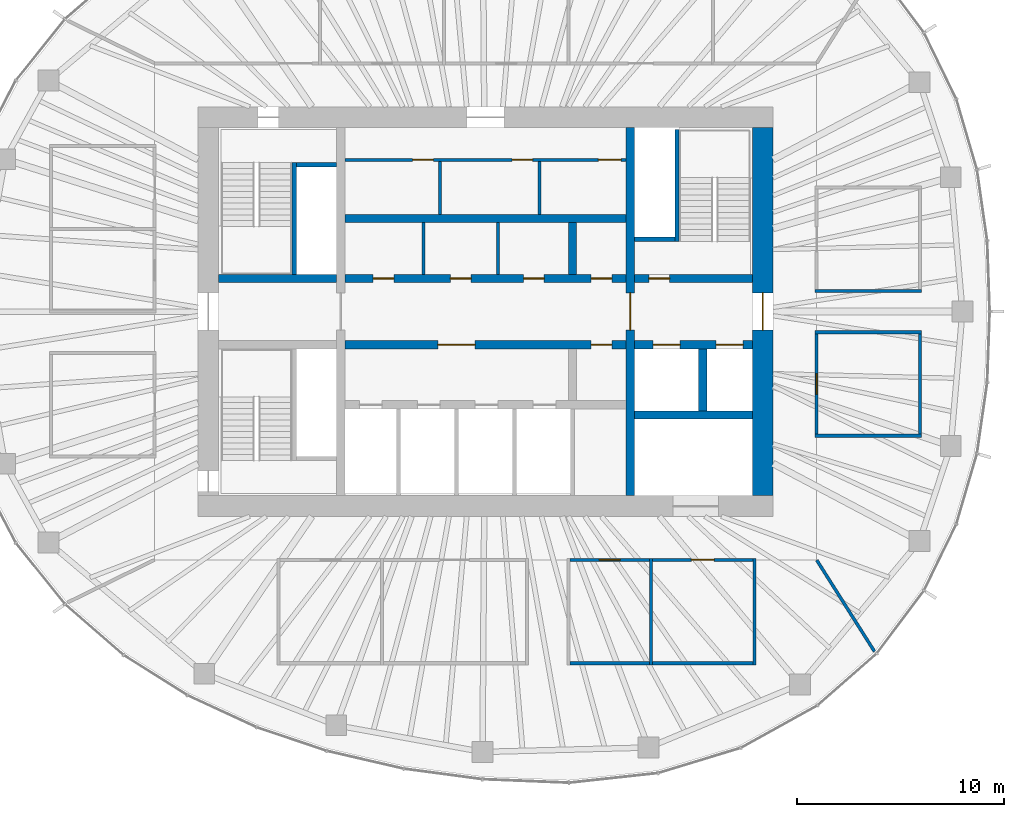
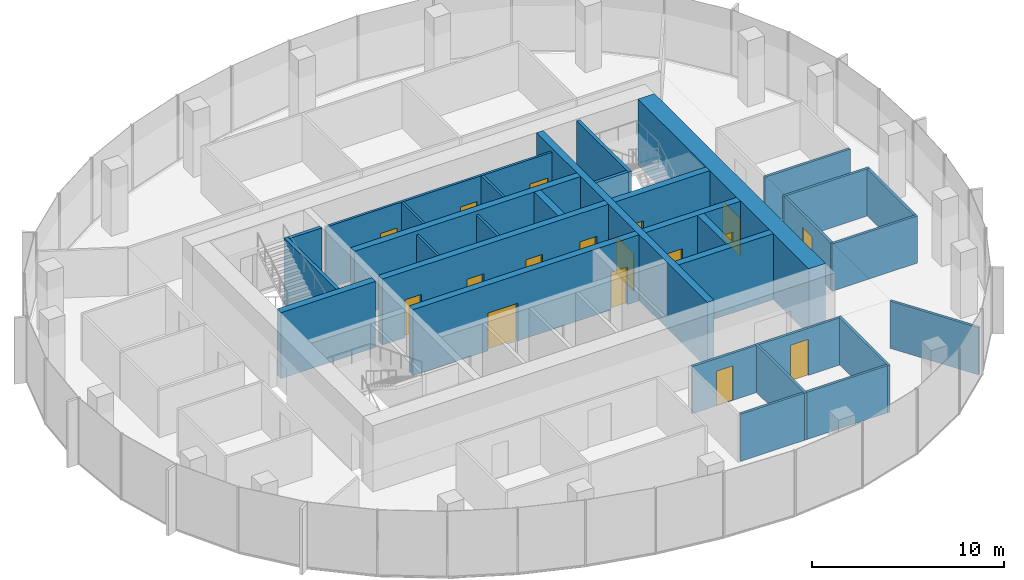
# One storey, part 9 of 11: 32 walls, 17 doors, 17 openings.
"""IFC4 building model written with IfcOpenShell, lengths in metres."""

from ifc_helpers import new_model, si_unit, direction, frame, frame_2d, origin, place, context, subcontext, project, spatial, rectangle, extrude, material, layer, layer_set, type_object, element, fill, save


model = new_model("IFC4")

# Units and contexts
model_context = context("Model", 3, precision=1e-05, world=origin(), true_north=direction((0.0, 1.0)))
body_context = subcontext(model_context, "Body", "Model", "MODEL_VIEW")
ifc_project = project(units=[si_unit("LENGTHUNIT", "METRE"), si_unit("AREAUNIT", "SQUARE_METRE"), si_unit("VOLUMEUNIT", "CUBIC_METRE"), si_unit("PLANEANGLEUNIT", "RADIAN"), si_unit("MASSUNIT", "GRAM", prefix="KILO")], contexts=[model_context])

# Site, building, storey
site_placement = place(None, origin())
site = spatial("IfcSite", under=ifc_project, at=site_placement, CompositionType="ELEMENT")
building_placement = place(site_placement, origin())
building = spatial("IfcBuilding", under=site, at=building_placement, Name="Ghaith Harvest Tower", CompositionType="ELEMENT")
storey_placement = place(building_placement, frame((0.0, 0.0, 317.39990234375)))
storey = spatial("IfcBuildingStorey", under=building, at=storey_placement, Name="L71", CompositionType="ELEMENT", Elevation=317.39990234375)

# Wall, openings, doors
ifc_material_1 = material(Name="Concrete blockwork, fair-faced", Category="masonry")
ifc_layer_1 = layer(ifc_material_1, 0.139892578125)
ifc_layer_set_1 = layer_set([ifc_layer_1], Name="CORE PARTITION 140")
wall_type_1 = type_object("IfcWallType", Name="CORE PARTITION 140", PredefinedType="PARTITIONING", material=ifc_layer_set_1)
wall_1_placement = place(storey_placement, frame((-6.800048828125, 7.330078125, 0.0), z_axis=(0.0, 0.0, 1.0), x_axis=(1.0, 0.0, 0.0)))
wall_1 = element("IfcWall", 1, at=wall_1_placement, inside=storey, type_object=wall_type_1, Name="Core partition L71", PredefinedType="PARTITIONING", context=body_context, shape_type="SweptSolid", body=[
    extrude(rectangle(XDim=13.60009765625, YDim=0.139892578125, at=frame_2d((6.800048828125, 0.0))), origin(), (0.0, 0.0, 1.0), 3.9501953125),
])
opening_1_placement = place(wall_1_placement, frame((3.280029296875, 0.0, 0.0)))
opening_1 = element("IfcOpeningElement", 2, at=opening_1_placement, cuts=wall_1, Name="Opening 71-008", PredefinedType="OPENING", context=body_context, shape_type="SweptSolid", body=[
    extrude(rectangle(XDim=1.0, YDim=2.39990234375, at=frame_2d((0.5, 1.199951171875))), frame((0.0, 0.080078125, 0.0), z_axis=(0.0, -1.0, 0.0), x_axis=(1.0, 0.0, 0.0)), (0.0, 0.0, 1.0), 0.159912109375),
])
opening_2_placement = place(wall_1_placement, frame((8.080078125, 0.0, 0.0)))
opening_2 = element("IfcOpeningElement", 3, at=opening_2_placement, cuts=wall_1, Name="Opening 71-009", PredefinedType="OPENING", context=body_context, shape_type="SweptSolid", body=[
    extrude(rectangle(XDim=1.0, YDim=2.39990234375, at=frame_2d((0.5, 1.199951171875))), frame((0.0, 0.080078125, 0.0), z_axis=(0.0, -1.0, 0.0), x_axis=(1.0, 0.0, 0.0)), (0.0, 0.0, 1.0), 0.159912109375),
])
opening_3_placement = place(wall_1_placement, frame((12.25, 0.0, 0.0)))
opening_3 = element("IfcOpeningElement", 4, at=opening_3_placement, cuts=wall_1, Name="Opening 71-010", PredefinedType="OPENING", context=body_context, shape_type="SweptSolid", body=[
    extrude(rectangle(XDim=1.10009765625, YDim=2.39990234375, at=frame_2d((0.550048828125, 1.199951171875))), frame((0.0, 0.080078125, 0.0), z_axis=(0.0, -1.0, 0.0), x_axis=(1.0, 0.0, 0.0)), (0.0, 0.0, 1.0), 0.159912109375),
])
ifc_material_2 = material(Name="Steel fire door", Category="steel")
door_type_1 = type_object("IfcDoorType", Name="D3 FD90 1000x2400", OperationType="SINGLE_SWING_LEFT", PredefinedType="DOOR", material=ifc_material_2)
door_1_placement = place(opening_1_placement, origin())
door_1 = element("IfcDoor", 5, at=door_1_placement, inside=storey, type_object=door_type_1, Name="Female WC door", OperationType="SINGLE_SWING_LEFT", OverallHeight=2.39990234375, OverallWidth=1.0, PredefinedType="DOOR", context=body_context, shape_type="SweptSolid", body=[
    extrude(rectangle(XDim=1.0, YDim=2.39990234375, at=frame_2d((0.5, 1.199951171875))), frame((0.0, 0.02490234375, 0.0), z_axis=(0.0, -1.0, 0.0), x_axis=(1.0, 0.0, 0.0)), (0.0, 0.0, 1.0), 0.050048828125),
])
fill(opening_1, door_1)
door_2_placement = place(opening_2_placement, origin())
door_2 = element("IfcDoor", 6, at=door_2_placement, inside=storey, type_object=door_type_1, Name="Male WC door", OperationType="SINGLE_SWING_RIGHT", OverallHeight=2.39990234375, OverallWidth=1.0, PredefinedType="DOOR", context=body_context, shape_type="SweptSolid", body=[
    extrude(rectangle(XDim=1.0, YDim=2.39990234375, at=frame_2d((0.5, 1.199951171875))), frame((0.0, 0.02490234375, 0.0), z_axis=(0.0, -1.0, 0.0), x_axis=(1.0, 0.0, 0.0)), (0.0, 0.0, 1.0), 0.050048828125),
])
fill(opening_2, door_2)
ifc_material_3 = material(Name="Steel fire door", Category="steel")
door_type_2 = type_object("IfcDoorType", Name="D9 FD90 1100x2400", OperationType="SINGLE_SWING_LEFT", PredefinedType="DOOR", material=ifc_material_3)
door_3_placement = place(opening_3_placement, origin())
door_3 = element("IfcDoor", 7, at=door_3_placement, inside=storey, type_object=door_type_2, Name="Accessible WC door", OperationType="SINGLE_SWING_RIGHT", OverallHeight=2.39990234375, OverallWidth=1.10009765625, PredefinedType="DOOR", context=body_context, shape_type="SweptSolid", body=[
    extrude(rectangle(XDim=1.10009765625, YDim=2.39990234375, at=frame_2d((0.550048828125, 1.199951171875))), frame((0.0, 0.02490234375, 0.0), z_axis=(0.0, -1.0, 0.0), x_axis=(1.0, 0.0, 0.0)), (0.0, 0.0, 1.0), 0.050048828125),
])
fill(opening_3, door_3)

# Walls
for number, where, z_axis, x_axis, name in (
    (8, (-2.199951171875, 4.699951171875, 0.0), (0.0, 0.0, 1.0), (0.0, 1.0, 0.0), "Core partition L71"),
    (9, (2.60009765625, 4.699951171875, 0.0), (0.0, 0.0, 1.0), (0.0, 1.0, 0.0), "Core partition L71"),
):
    element("IfcWall", number, at=place(storey_placement, frame(where, z_axis=z_axis, x_axis=x_axis)), inside=storey, type_object=wall_type_1, Name=name, PredefinedType="PARTITIONING", context=body_context, shape_type="SweptSolid", body=[
        extrude(rectangle(XDim=2.56005859375, YDim=0.139892578125, at=frame_2d((1.280029296875, 0.0))), origin(), (0.0, 0.0, 1.0), 3.9501953125),
    ])
for number, where, z_axis, x_axis, name in (
    (10, (-3.0, 1.800048828125, 0.0), (0.0, 0.0, 1.0), (0.0, 1.0, 0.0), "Core partition L71"),
    (11, (0.60009765625, 1.800048828125, 0.0), (0.0, 0.0, 1.0), (0.0, 1.0, 0.0), "Core partition L71"),
):
    element("IfcWall", number, at=place(storey_placement, frame(where, z_axis=z_axis, x_axis=x_axis)), inside=storey, type_object=wall_type_1, Name=name, PredefinedType="PARTITIONING", context=body_context, shape_type="SweptSolid", body=[
        extrude(rectangle(XDim=2.5, YDim=0.139892578125, at=frame_2d((1.25, 0.0))), origin(), (0.0, 0.0, 1.0), 3.9501953125),
    ])

# Wall, opening, door
ifc_material_4 = material(Name="Concrete C50/60", Category="concrete")
ifc_layer_2 = layer(ifc_material_4, 1.0)
ifc_layer_set_2 = layer_set([ifc_layer_2], Name="CORE WALL CW1000")
wall_type_2 = type_object("IfcWallType", Name="CORE WALL CW1000", PredefinedType="SHEAR", material=ifc_layer_set_2)
wall_2_placement = place(storey_placement, frame((13.39990234375, -8.89990234375, 0.0), z_axis=(0.0, 0.0, 1.0), x_axis=(0.0, 1.0, 0.0)))
wall_2 = element("IfcWall", 12, at=wall_2_placement, inside=storey, type_object=wall_type_2, Name="Core wall E L71", PredefinedType="SHEAR", context=body_context, shape_type="SweptSolid", body=[
    extrude(rectangle(XDim=17.7998046875, YDim=1.0, at=frame_2d((8.89990234375, 0.0))), origin(), (0.0, 0.0, 1.0), 4.2001953125),
])
opening_4_placement = place(wall_2_placement, frame((8.0, 0.0, 0.0)))
opening_4 = element("IfcOpeningElement", 13, at=opening_4_placement, cuts=wall_2, Name="Opening 71-002", PredefinedType="OPENING", context=body_context, shape_type="SweptSolid", body=[
    extrude(rectangle(XDim=1.800048828125, YDim=2.39990234375, at=frame_2d((0.89990234375, 1.199951171875))), frame((0.0, 0.510009765625, 0.0), z_axis=(0.0, -1.0, 0.0), x_axis=(1.0, 0.0, 0.0)), (0.0, 0.0, 1.0), 1.02001953125),
])
ifc_material_5 = material(Name="Steel fire door", Category="steel")
door_type_3 = type_object("IfcDoorType", Name="D4 FD90 PAIR 1800x2400", OperationType="DOUBLE_DOOR_SINGLE_SWING", PredefinedType="DOOR", material=ifc_material_5)
door_4_placement = place(opening_4_placement, origin())
door_4 = element("IfcDoor", 14, at=door_4_placement, inside=storey, type_object=door_type_3, Name="Fire-fighting lobby doors", OperationType="DOUBLE_DOOR_SINGLE_SWING", OverallHeight=2.39990234375, OverallWidth=1.800048828125, PredefinedType="DOOR", context=body_context, shape_type="SweptSolid", body=[
    extrude(rectangle(XDim=1.800048828125, YDim=2.39990234375, at=frame_2d((0.89990234375, 1.199951171875))), frame((0.0, 0.02490234375, 0.0), z_axis=(0.0, -1.0, 0.0), x_axis=(1.0, 0.0, 0.0)), (0.0, 0.0, 1.0), 0.050048828125),
])
fill(opening_4, door_4)

# Walls
ifc_material_6 = material(Name="Gypsum board on steel studs", Category="steel")
ifc_layer_3 = layer(ifc_material_6, 0.14990234375)
ifc_layer_set_3 = layer_set([ifc_layer_3], Name="PARTITION 150")
wall_type_3 = type_object("IfcWallType", Name="PARTITION 150", PredefinedType="PARTITIONING", material=ifc_layer_set_3)
for number, where, z_axis, x_axis, name in (
    (15, (8.0, -11.925048828125, 0.0), (0.0, 0.0, 1.0), (0.0, -1.0, 0.0), "Partition L71 row S3 cross wall 2"),
    (16, (13.0, -11.925048828125, 0.0), (0.0, 0.0, 1.0), (0.0, -1.0, 0.0), "Partition L71 row S3 cross wall 3"),
):
    element("IfcWall", number, at=place(storey_placement, frame(where, z_axis=z_axis, x_axis=x_axis)), inside=storey, type_object=wall_type_3, Name=name, PredefinedType="PARTITIONING", context=body_context, shape_type="SweptSolid", body=[
        extrude(rectangle(XDim=5.14990234375, YDim=0.14990234375, at=frame_2d((2.574951171875, 0.0))), origin(), (0.0, 0.0, 1.0), 3.0),
    ])

# Wall, opening, door
wall_3_placement = place(storey_placement, frame((4.074951171875, -12.0, 0.0), z_axis=(0.0, 0.0, 1.0), x_axis=(1.0, 0.0, 0.0)))
wall_3 = element("IfcWall", 17, at=wall_3_placement, inside=storey, type_object=wall_type_3, Name="Partition L71-06", PredefinedType="PARTITIONING", context=body_context, shape_type="SweptSolid", body=[
    extrude(rectangle(XDim=3.85009765625, YDim=0.14990234375, at=frame_2d((1.925048828125, 0.0))), origin(), (0.0, 0.0, 1.0), 3.0),
])
opening_5_placement = place(wall_3_placement, frame((1.425048828125, 0.0, 0.0)))
opening_5 = element("IfcOpeningElement", 18, at=opening_5_placement, cuts=wall_3, Name="Opening 71-030", PredefinedType="OPENING", context=body_context, shape_type="SweptSolid", body=[
    extrude(rectangle(XDim=1.0, YDim=2.199951171875, at=frame_2d((0.5, 1.10009765625))), frame((0.0, 0.0849609375, 0.0), z_axis=(0.0, -1.0, 0.0), x_axis=(1.0, 0.0, 0.0)), (0.0, 0.0, 1.0), 0.169921875),
])
ifc_material_7 = material(Name="Timber door", Category="wood")
door_type_4 = type_object("IfcDoorType", Name="D1 SINGLE 1000x2200", OperationType="SINGLE_SWING_LEFT", PredefinedType="DOOR", material=ifc_material_7)
door_5_placement = place(opening_5_placement, origin())
door_5 = element("IfcDoor", 19, at=door_5_placement, inside=storey, type_object=door_type_4, Name="Store door", OperationType="SINGLE_SWING_LEFT", OverallHeight=2.199951171875, OverallWidth=1.0, PredefinedType="DOOR", context=body_context, shape_type="SweptSolid", body=[
    extrude(rectangle(XDim=1.0, YDim=2.199951171875, at=frame_2d((0.5, 1.10009765625))), frame((0.0, 0.02490234375, 0.0), z_axis=(0.0, -1.0, 0.0), x_axis=(1.0, 0.0, 0.0)), (0.0, 0.0, 1.0), 0.050048828125),
])
fill(opening_5, door_5)

# Wall
wall_4_placement = place(storey_placement, frame((4.074951171875, -17.0, 0.0), z_axis=(0.0, 0.0, 1.0), x_axis=(1.0, 0.0, 0.0)))
element("IfcWall", 20, at=wall_4_placement, inside=storey, type_object=wall_type_3, Name="Partition L71-06", PredefinedType="PARTITIONING", context=body_context, shape_type="SweptSolid", body=[
    extrude(rectangle(XDim=3.85009765625, YDim=0.14990234375, at=frame_2d((1.925048828125, 0.0))), origin(), (0.0, 0.0, 1.0), 3.0),
])

# Wall, opening, door
wall_5_placement = place(storey_placement, frame((8.074951171875, -12.0, 0.0), z_axis=(0.0, 0.0, 1.0), x_axis=(1.0, 0.0, 0.0)))
wall_5 = element("IfcWall", 21, at=wall_5_placement, inside=storey, type_object=wall_type_3, Name="Partition L71-07", PredefinedType="PARTITIONING", context=body_context, shape_type="SweptSolid", body=[
    extrude(rectangle(XDim=4.85009765625, YDim=0.14990234375, at=frame_2d((2.425048828125, 0.0))), origin(), (0.0, 0.0, 1.0), 3.0),
])
opening_6_placement = place(wall_5_placement, frame((1.875, 0.0, 0.0)))
opening_6 = element("IfcOpeningElement", 22, at=opening_6_placement, cuts=wall_5, Name="Opening 71-031", PredefinedType="OPENING", context=body_context, shape_type="SweptSolid", body=[
    extrude(rectangle(XDim=1.10009765625, YDim=2.300048828125, at=frame_2d((0.550048828125, 1.14990234375))), frame((0.0, 0.0849609375, 0.0), z_axis=(0.0, -1.0, 0.0), x_axis=(1.0, 0.0, 0.0)), (0.0, 0.0, 1.0), 0.169921875),
])
ifc_material_8 = material(Name="Timber-framed glazed door", Category="wood")
door_type_5 = type_object("IfcDoorType", Name="D12 GLAZED OFFICE 1100x2300", OperationType="SINGLE_SWING_LEFT", PredefinedType="DOOR", material=ifc_material_8)
door_6_placement = place(opening_6_placement, origin())
door_6 = element("IfcDoor", 23, at=door_6_placement, inside=storey, type_object=door_type_5, Name="Crop office door", OperationType="SINGLE_SWING_LEFT", OverallHeight=2.300048828125, OverallWidth=1.10009765625, PredefinedType="DOOR", context=body_context, shape_type="SweptSolid", body=[
    extrude(rectangle(XDim=1.10009765625, YDim=2.300048828125, at=frame_2d((0.550048828125, 1.14990234375))), frame((0.0, 0.02490234375, 0.0), z_axis=(0.0, -1.0, 0.0), x_axis=(1.0, 0.0, 0.0)), (0.0, 0.0, 1.0), 0.050048828125),
])
fill(opening_6, door_6)

# Walls
wall_6_placement = place(storey_placement, frame((8.074951171875, -17.0, 0.0), z_axis=(0.0, 0.0, 1.0), x_axis=(1.0, 0.0, 0.0)))
element("IfcWall", 24, at=wall_6_placement, inside=storey, type_object=wall_type_3, Name="Partition L71-07", PredefinedType="PARTITIONING", context=body_context, shape_type="SweptSolid", body=[
    extrude(rectangle(XDim=4.85009765625, YDim=0.14990234375, at=frame_2d((2.425048828125, 0.0))), origin(), (0.0, 0.0, 1.0), 3.0),
])
for number, where, z_axis, x_axis, name in (
    (25, (15.925048828125, -6.0, 0.0), (0.0, 0.0, 1.0), (1.0, 0.0, 0.0), "Partition L71 row E5 cross wall 1"),
    (26, (15.925048828125, -1.0, 0.0), (0.0, 0.0, 1.0), (1.0, 0.0, 0.0), "Partition L71 row E5 cross wall 2"),
):
    element("IfcWall", number, at=place(storey_placement, frame(where, z_axis=z_axis, x_axis=x_axis)), inside=storey, type_object=wall_type_3, Name=name, PredefinedType="PARTITIONING", context=body_context, shape_type="SweptSolid", body=[
        extrude(rectangle(XDim=5.14990234375, YDim=0.14990234375, at=frame_2d((2.574951171875, 0.0))), origin(), (0.0, 0.0, 1.0), 3.0),
    ])

# Wall, opening, door
wall_7_placement = place(storey_placement, frame((16.0, -5.925048828125, 0.0), z_axis=(0.0, 0.0, 1.0), x_axis=(0.0, 1.0, 0.0)))
wall_7 = element("IfcWall", 27, at=wall_7_placement, inside=storey, type_object=wall_type_3, Name="Partition L71-09", PredefinedType="PARTITIONING", context=body_context, shape_type="SweptSolid", body=[
    extrude(rectangle(XDim=4.85009765625, YDim=0.14990234375, at=frame_2d((2.425048828125, 0.0))), origin(), (0.0, 0.0, 1.0), 3.0),
])
opening_7_placement = place(wall_7_placement, frame((1.925048828125, 0.0, 0.0)))
opening_7 = element("IfcOpeningElement", 28, at=opening_7_placement, cuts=wall_7, Name="Opening 71-033", PredefinedType="OPENING", context=body_context, shape_type="SweptSolid", body=[
    extrude(rectangle(XDim=1.0, YDim=2.199951171875, at=frame_2d((0.5, 1.10009765625))), frame((0.0, 0.0849609375, 0.0), z_axis=(0.0, -1.0, 0.0), x_axis=(1.0, 0.0, 0.0)), (0.0, 0.0, 1.0), 0.169921875),
])
door_7_placement = place(opening_7_placement, origin())
door_7 = element("IfcDoor", 29, at=door_7_placement, inside=storey, type_object=door_type_4, Name="Staff room door", OperationType="SINGLE_SWING_LEFT", OverallHeight=2.199951171875, OverallWidth=1.0, PredefinedType="DOOR", context=body_context, shape_type="SweptSolid", body=[
    extrude(rectangle(XDim=1.0, YDim=2.199951171875, at=frame_2d((0.5, 1.10009765625))), frame((0.0, 0.02490234375, 0.0), z_axis=(0.0, -1.0, 0.0), x_axis=(1.0, 0.0, 0.0)), (0.0, 0.0, 1.0), 0.050048828125),
])
fill(opening_7, door_7)

# Walls
wall_8_placement = place(storey_placement, frame((21.0, -5.925048828125, 0.0), z_axis=(0.0, 0.0, 1.0), x_axis=(0.0, 1.0, 0.0)))
element("IfcWall", 30, at=wall_8_placement, inside=storey, type_object=wall_type_3, Name="Partition L71-09", PredefinedType="PARTITIONING", context=body_context, shape_type="SweptSolid", body=[
    extrude(rectangle(XDim=4.85009765625, YDim=0.14990234375, at=frame_2d((2.425048828125, 0.0))), origin(), (0.0, 0.0, 1.0), 3.0),
])
wall_9_placement = place(storey_placement, frame((15.925048828125, 1.0, 0.0), z_axis=(0.0, 0.0, 1.0), x_axis=(1.0, 0.0, 0.0)))
element("IfcWall", 31, at=wall_9_placement, inside=storey, type_object=wall_type_3, Name="Partition L71 row E6 cross wall 1", PredefinedType="PARTITIONING", context=body_context, shape_type="SweptSolid", body=[
    extrude(rectangle(XDim=5.14990234375, YDim=0.14990234375, at=frame_2d((2.574951171875, 0.0))), origin(), (0.0, 0.0, 1.0), 3.0),
])
wall_10_placement = place(storey_placement, frame((16.0107421875, -12.016845703125, 0.0), z_axis=(0.0, 0.0, 1.0), x_axis=(0.53415837449, -0.845384427916, 0.0)))
element("IfcWall", 32, at=wall_10_placement, inside=storey, type_object=wall_type_3, Name="Partition L71 zone division", PredefinedType="PARTITIONING", context=body_context, shape_type="SweptSolid", body=[
    extrude(rectangle(XDim=5.220458984375, YDim=0.14990234375, at=frame_2d((2.6103515625, 0.0))), origin(), (0.0, 0.0, 1.0), 3.0),
])

# Wall, opening, door
ifc_material_9 = material(Name="Concrete C70/85", Category="concrete")
ifc_layer_4 = layer(ifc_material_9, 0.39990234375)
ifc_layer_set_4 = layer_set([ifc_layer_4], Name="SHAFT WALL 400")
wall_type_4 = type_object("IfcWallType", Name="SHAFT WALL 400", PredefinedType="SHEAR", material=ifc_layer_set_4)
wall_11_placement = place(storey_placement, frame((7.0, -8.89990234375, 0.0), z_axis=(0.0, 0.0, 1.0), x_axis=(0.0, 1.0, 0.0)))
wall_11 = element("IfcWall", 33, at=wall_11_placement, inside=storey, type_object=wall_type_4, Name="Shaft wall W7E L71", PredefinedType="SHEAR", context=body_context, shape_type="SweptSolid", body=[
    extrude(rectangle(XDim=17.7998046875, YDim=0.39990234375, at=frame_2d((8.89990234375, 0.0))), origin(), (0.0, 0.0, 1.0), 4.2001953125),
])
opening_8_placement = place(wall_11_placement, frame((8.0, 0.0, 0.0)))
opening_8 = element("IfcOpeningElement", 34, at=opening_8_placement, cuts=wall_11, Name="Opening 71-004", PredefinedType="OPENING", context=body_context, shape_type="SweptSolid", body=[
    extrude(rectangle(XDim=1.800048828125, YDim=2.39990234375, at=frame_2d((0.89990234375, 1.199951171875))), frame((0.0, 0.2099609375, 0.0), z_axis=(0.0, -1.0, 0.0), x_axis=(1.0, 0.0, 0.0)), (0.0, 0.0, 1.0), 0.419921875),
])
door_8_placement = place(opening_8_placement, origin())
door_8 = element("IfcDoor", 35, at=door_8_placement, inside=storey, type_object=door_type_3, Name="Lift lobby doors, east", OperationType="DOUBLE_DOOR_SINGLE_SWING", OverallHeight=2.39990234375, OverallWidth=1.800048828125, PredefinedType="DOOR", context=body_context, shape_type="SweptSolid", body=[
    extrude(rectangle(XDim=1.800048828125, YDim=2.39990234375, at=frame_2d((0.89990234375, 1.199951171875))), frame((0.0, 0.02490234375, 0.0), z_axis=(0.0, -1.0, 0.0), x_axis=(1.0, 0.0, 0.0)), (0.0, 0.0, 1.0), 0.050048828125),
])
fill(opening_8, door_8)

# Wall, openings, doors
wall_12_placement = place(storey_placement, frame((-6.800048828125, 1.60009765625, 0.0), z_axis=(0.0, 0.0, 1.0), x_axis=(1.0, 0.0, 0.0)))
wall_12 = element("IfcWall", 36, at=wall_12_placement, inside=storey, type_object=wall_type_4, Name="Shaft wall LN L71", PredefinedType="SHEAR", context=body_context, shape_type="SweptSolid", body=[
    extrude(rectangle(XDim=13.60009765625, YDim=0.39990234375, at=frame_2d((6.800048828125, 0.0))), origin(), (0.0, 0.0, 1.0), 4.2001953125),
])
opening_9_placement = place(wall_12_placement, frame((1.364990234375, 0.0, 0.0)))
opening_9 = element("IfcOpeningElement", 37, at=opening_9_placement, cuts=wall_12, Name="Opening 71-011", PredefinedType="OPENING", context=body_context, shape_type="SweptSolid", body=[
    extrude(rectangle(XDim=1.0, YDim=2.39990234375, at=frame_2d((0.5, 1.199951171875))), frame((0.0, 0.2099609375, 0.0), z_axis=(0.0, -1.0, 0.0), x_axis=(1.0, 0.0, 0.0)), (0.0, 0.0, 1.0), 0.419921875),
])
opening_10_placement = place(wall_12_placement, frame((5.10009765625, 0.0, 0.0)))
opening_10 = element("IfcOpeningElement", 38, at=opening_10_placement, cuts=wall_12, Name="Opening 71-012", PredefinedType="OPENING", context=body_context, shape_type="SweptSolid", body=[
    extrude(rectangle(XDim=1.0, YDim=2.39990234375, at=frame_2d((0.5, 1.199951171875))), frame((0.0, 0.2099609375, 0.0), z_axis=(0.0, -1.0, 0.0), x_axis=(1.0, 0.0, 0.0)), (0.0, 0.0, 1.0), 0.419921875),
])
opening_11_placement = place(wall_12_placement, frame((8.635009765625, 0.0, 0.0)))
opening_11 = element("IfcOpeningElement", 39, at=opening_11_placement, cuts=wall_12, Name="Opening 71-013", PredefinedType="OPENING", context=body_context, shape_type="SweptSolid", body=[
    extrude(rectangle(XDim=1.0, YDim=2.39990234375, at=frame_2d((0.5, 1.199951171875))), frame((0.0, 0.2099609375, 0.0), z_axis=(0.0, -1.0, 0.0), x_axis=(1.0, 0.0, 0.0)), (0.0, 0.0, 1.0), 0.419921875),
])
opening_12_placement = place(wall_12_placement, frame((11.89990234375, 0.0, 0.0)))
opening_12 = element("IfcOpeningElement", 40, at=opening_12_placement, cuts=wall_12, Name="Opening 71-014", PredefinedType="OPENING", context=body_context, shape_type="SweptSolid", body=[
    extrude(rectangle(XDim=1.0, YDim=2.39990234375, at=frame_2d((0.5, 1.199951171875))), frame((0.0, 0.2099609375, 0.0), z_axis=(0.0, -1.0, 0.0), x_axis=(1.0, 0.0, 0.0)), (0.0, 0.0, 1.0), 0.419921875),
])
door_9_placement = place(opening_9_placement, origin())
door_9 = element("IfcDoor", 41, at=door_9_placement, inside=storey, type_object=door_type_1, Name="Electrical room door", OperationType="SINGLE_SWING_LEFT", OverallHeight=2.39990234375, OverallWidth=1.0, PredefinedType="DOOR", context=body_context, shape_type="SweptSolid", body=[
    extrude(rectangle(XDim=1.0, YDim=2.39990234375, at=frame_2d((0.5, 1.199951171875))), frame((0.0, 0.02490234375, 0.0), z_axis=(0.0, -1.0, 0.0), x_axis=(1.0, 0.0, 0.0)), (0.0, 0.0, 1.0), 0.050048828125),
])
fill(opening_9, door_9)
door_10_placement = place(opening_10_placement, origin())
door_10 = element("IfcDoor", 42, at=door_10_placement, inside=storey, type_object=door_type_1, Name="Staff WC door", OperationType="SINGLE_SWING_LEFT", OverallHeight=2.39990234375, OverallWidth=1.0, PredefinedType="DOOR", context=body_context, shape_type="SweptSolid", body=[
    extrude(rectangle(XDim=1.0, YDim=2.39990234375, at=frame_2d((0.5, 1.199951171875))), frame((0.0, 0.02490234375, 0.0), z_axis=(0.0, -1.0, 0.0), x_axis=(1.0, 0.0, 0.0)), (0.0, 0.0, 1.0), 0.050048828125),
])
fill(opening_10, door_10)
door_11_placement = place(opening_11_placement, origin())
door_11 = element("IfcDoor", 43, at=door_11_placement, inside=storey, type_object=door_type_1, Name="Communications equipment room door", OperationType="SINGLE_SWING_RIGHT", OverallHeight=2.39990234375, OverallWidth=1.0, PredefinedType="DOOR", context=body_context, shape_type="SweptSolid", body=[
    extrude(rectangle(XDim=1.0, YDim=2.39990234375, at=frame_2d((0.5, 1.199951171875))), frame((0.0, 0.02490234375, 0.0), z_axis=(0.0, -1.0, 0.0), x_axis=(1.0, 0.0, 0.0)), (0.0, 0.0, 1.0), 0.050048828125),
])
fill(opening_11, door_11)
door_12_placement = place(opening_12_placement, origin())
door_12 = element("IfcDoor", 44, at=door_12_placement, inside=storey, type_object=door_type_1, Name="Staff WC door", OperationType="SINGLE_SWING_RIGHT", OverallHeight=2.39990234375, OverallWidth=1.0, PredefinedType="DOOR", context=body_context, shape_type="SweptSolid", body=[
    extrude(rectangle(XDim=1.0, YDim=2.39990234375, at=frame_2d((0.5, 1.199951171875))), frame((0.0, 0.02490234375, 0.0), z_axis=(0.0, -1.0, 0.0), x_axis=(1.0, 0.0, 0.0)), (0.0, 0.0, 1.0), 0.050048828125),
])
fill(opening_12, door_12)

wall_13_placement = place(storey_placement, frame((-6.800048828125, -1.60009765625, 0.0), z_axis=(0.0, 0.0, 1.0), x_axis=(1.0, 0.0, 0.0)))
wall_13 = element("IfcWall", 45, at=wall_13_placement, inside=storey, type_object=wall_type_4, Name="Shaft wall LS L71", PredefinedType="SHEAR", context=body_context, shape_type="SweptSolid", body=[
    extrude(rectangle(XDim=13.60009765625, YDim=0.39990234375, at=frame_2d((6.800048828125, 0.0))), origin(), (0.0, 0.0, 1.0), 4.2001953125),
])
opening_13_placement = place(wall_13_placement, frame((11.89990234375, 0.0, 0.0)))
opening_13 = element("IfcOpeningElement", 46, at=opening_13_placement, cuts=wall_13, Name="Opening 71-015", PredefinedType="OPENING", context=body_context, shape_type="SweptSolid", body=[
    extrude(rectangle(XDim=1.0, YDim=2.39990234375, at=frame_2d((0.5, 1.199951171875))), frame((0.0, 0.2099609375, 0.0), z_axis=(0.0, -1.0, 0.0), x_axis=(1.0, 0.0, 0.0)), (0.0, 0.0, 1.0), 0.419921875),
])
opening_14_placement = place(wall_13_placement, frame((4.5, 0.0, 0.0)))
opening_14 = element("IfcOpeningElement", 47, at=opening_14_placement, cuts=wall_13, Name="Opening 71-016", PredefinedType="OPENING", context=body_context, shape_type="SweptSolid", body=[
    extrude(rectangle(XDim=1.800048828125, YDim=2.39990234375, at=frame_2d((0.89990234375, 1.199951171875))), frame((0.0, 0.2099609375, 0.0), z_axis=(0.0, -1.0, 0.0), x_axis=(1.0, 0.0, 0.0)), (0.0, 0.0, 1.0), 0.419921875),
])
door_13_placement = place(opening_13_placement, origin())
door_13 = element("IfcDoor", 48, at=door_13_placement, inside=storey, type_object=door_type_1, Name="Staff WC door", OperationType="SINGLE_SWING_RIGHT", OverallHeight=2.39990234375, OverallWidth=1.0, PredefinedType="DOOR", context=body_context, shape_type="SweptSolid", body=[
    extrude(rectangle(XDim=1.0, YDim=2.39990234375, at=frame_2d((0.5, 1.199951171875))), frame((0.0, 0.02490234375, 0.0), z_axis=(0.0, -1.0, 0.0), x_axis=(1.0, 0.0, 0.0)), (0.0, 0.0, 1.0), 0.050048828125),
])
fill(opening_13, door_13)
door_14_placement = place(opening_14_placement, origin())
door_14 = element("IfcDoor", 49, at=door_14_placement, inside=storey, type_object=door_type_3, Name="Lift lobby doors, upper-zone bank", OperationType="DOUBLE_DOOR_SINGLE_SWING", OverallHeight=2.39990234375, OverallWidth=1.800048828125, PredefinedType="DOOR", context=body_context, shape_type="SweptSolid", body=[
    extrude(rectangle(XDim=1.800048828125, YDim=2.39990234375, at=frame_2d((0.89990234375, 1.199951171875))), frame((0.0, 0.02490234375, 0.0), z_axis=(0.0, -1.0, 0.0), x_axis=(1.0, 0.0, 0.0)), (0.0, 0.0, 1.0), 0.050048828125),
])
fill(opening_14, door_14)

# Walls
wall_14_placement = place(storey_placement, frame((-6.800048828125, 4.5, 0.0), z_axis=(0.0, 0.0, 1.0), x_axis=(1.0, 0.0, 0.0)))
element("IfcWall", 50, at=wall_14_placement, inside=storey, type_object=wall_type_4, Name="Shaft wall BN L71", PredefinedType="SHEAR", context=body_context, shape_type="SweptSolid", body=[
    extrude(rectangle(XDim=13.60009765625, YDim=0.39990234375, at=frame_2d((6.800048828125, 0.0))), origin(), (0.0, 0.0, 1.0), 4.2001953125),
])
wall_15_placement = place(storey_placement, frame((-12.89990234375, 1.60009765625, 0.0), z_axis=(0.0, 0.0, 1.0), x_axis=(1.0, 0.0, 0.0)))
element("IfcWall", 51, at=wall_15_placement, inside=storey, type_object=wall_type_4, Name="Shaft wall WN L71", PredefinedType="SHEAR", context=body_context, shape_type="SweptSolid", body=[
    extrude(rectangle(XDim=5.699951171875, YDim=0.39990234375, at=frame_2d((2.85009765625, 0.0))), origin(), (0.0, 0.0, 1.0), 4.2001953125),
])

# Wall, opening, door
wall_16_placement = place(storey_placement, frame((7.199951171875, 1.60009765625, 0.0), z_axis=(0.0, 0.0, 1.0), x_axis=(1.0, 0.0, 0.0)))
wall_16 = element("IfcWall", 52, at=wall_16_placement, inside=storey, type_object=wall_type_4, Name="Shaft wall EN L71", PredefinedType="SHEAR", context=body_context, shape_type="SweptSolid", body=[
    extrude(rectangle(XDim=5.699951171875, YDim=0.39990234375, at=frame_2d((2.85009765625, 0.0))), origin(), (0.0, 0.0, 1.0), 4.2001953125),
])
opening_15_placement = place(wall_16_placement, frame((0.699951171875, 0.0, 0.0)))
opening_15 = element("IfcOpeningElement", 53, at=opening_15_placement, cuts=wall_16, Name="Opening 71-007", PredefinedType="OPENING", context=body_context, shape_type="SweptSolid", body=[
    extrude(rectangle(XDim=1.0, YDim=2.39990234375, at=frame_2d((0.5, 1.199951171875))), frame((0.0, 0.2099609375, 0.0), z_axis=(0.0, -1.0, 0.0), x_axis=(1.0, 0.0, 0.0)), (0.0, 0.0, 1.0), 0.419921875),
])
door_15_placement = place(opening_15_placement, origin())
door_15 = element("IfcDoor", 54, at=door_15_placement, inside=storey, type_object=door_type_1, Name="Stair ST2 door", OperationType="SINGLE_SWING_LEFT", OverallHeight=2.39990234375, OverallWidth=1.0, PredefinedType="DOOR", context=body_context, shape_type="SweptSolid", body=[
    extrude(rectangle(XDim=1.0, YDim=2.39990234375, at=frame_2d((0.5, 1.199951171875))), frame((0.0, 0.02490234375, 0.0), z_axis=(0.0, -1.0, 0.0), x_axis=(1.0, 0.0, 0.0)), (0.0, 0.0, 1.0), 0.050048828125),
])
fill(opening_15, door_15)

# Wall, openings, doors
wall_17_placement = place(storey_placement, frame((7.199951171875, -1.60009765625, 0.0), z_axis=(0.0, 0.0, 1.0), x_axis=(1.0, 0.0, 0.0)))
wall_17 = element("IfcWall", 55, at=wall_17_placement, inside=storey, type_object=wall_type_4, Name="Shaft wall ES L71", PredefinedType="SHEAR", context=body_context, shape_type="SweptSolid", body=[
    extrude(rectangle(XDim=5.699951171875, YDim=0.39990234375, at=frame_2d((2.85009765625, 0.0))), origin(), (0.0, 0.0, 1.0), 4.2001953125),
])
opening_16_placement = place(wall_17_placement, frame((0.89990234375, 0.0, 0.0)))
opening_16 = element("IfcOpeningElement", 56, at=opening_16_placement, cuts=wall_17, Name="Opening 71-022", PredefinedType="OPENING", context=body_context, shape_type="SweptSolid", body=[
    extrude(rectangle(XDim=1.300048828125, YDim=2.39990234375, at=frame_2d((0.64990234375, 1.199951171875))), frame((0.0, 0.2099609375, 0.0), z_axis=(0.0, -1.0, 0.0), x_axis=(1.0, 0.0, 0.0)), (0.0, 0.0, 1.0), 0.419921875),
])
opening_17_placement = place(wall_17_placement, frame((3.949951171875, 0.0, 0.0)))
opening_17 = element("IfcOpeningElement", 57, at=opening_17_placement, cuts=wall_17, Name="Opening 71-023", PredefinedType="OPENING", context=body_context, shape_type="SweptSolid", body=[
    extrude(rectangle(XDim=1.300048828125, YDim=2.39990234375, at=frame_2d((0.64990234375, 1.199951171875))), frame((0.0, 0.2099609375, 0.0), z_axis=(0.0, -1.0, 0.0), x_axis=(1.0, 0.0, 0.0)), (0.0, 0.0, 1.0), 0.419921875),
])
ifc_material_10 = material(Name="Steel fire door", Category="steel")
door_type_6 = type_object("IfcDoorType", Name="LD2 LANDING 1300x2400", OperationType="DOUBLE_DOOR_SLIDING", PredefinedType="DOOR", material=ifc_material_10)
door_16_placement = place(opening_16_placement, origin())
door_16 = element("IfcDoor", 58, at=door_16_placement, inside=storey, type_object=door_type_6, Name="Landing door, fire service lift FL1", OperationType="DOUBLE_DOOR_SLIDING", OverallHeight=2.39990234375, OverallWidth=1.300048828125, PredefinedType="DOOR", context=body_context, shape_type="SweptSolid", body=[
    extrude(rectangle(XDim=1.300048828125, YDim=2.39990234375, at=frame_2d((0.64990234375, 1.199951171875))), frame((0.0, 0.02490234375, 0.0), z_axis=(0.0, -1.0, 0.0), x_axis=(1.0, 0.0, 0.0)), (0.0, 0.0, 1.0), 0.050048828125),
])
fill(opening_16, door_16)
door_17_placement = place(opening_17_placement, origin())
door_17 = element("IfcDoor", 59, at=door_17_placement, inside=storey, type_object=door_type_6, Name="Landing door, fire service lift FL2", OperationType="DOUBLE_DOOR_SLIDING", OverallHeight=2.39990234375, OverallWidth=1.300048828125, PredefinedType="DOOR", context=body_context, shape_type="SweptSolid", body=[
    extrude(rectangle(XDim=1.300048828125, YDim=2.39990234375, at=frame_2d((0.64990234375, 1.199951171875))), frame((0.0, 0.02490234375, 0.0), z_axis=(0.0, -1.0, 0.0), x_axis=(1.0, 0.0, 0.0)), (0.0, 0.0, 1.0), 0.050048828125),
])
fill(opening_17, door_17)

# Walls
wall_18_placement = place(storey_placement, frame((10.5, -4.800048828125, 0.0), z_axis=(0.0, 0.0, 1.0), x_axis=(0.0, 1.0, 0.0)))
element("IfcWall", 60, at=wall_18_placement, inside=storey, type_object=wall_type_4, Name="Shaft wall FLD L71", PredefinedType="SHEAR", context=body_context, shape_type="SweptSolid", body=[
    extrude(rectangle(XDim=3.0, YDim=0.39990234375, at=frame_2d((1.5, 0.0))), origin(), (0.0, 0.0, 1.0), 4.2001953125),
])
wall_19_placement = place(storey_placement, frame((7.199951171875, -5.0, 0.0), z_axis=(0.0, 0.0, 1.0), x_axis=(1.0, 0.0, 0.0)))
element("IfcWall", 61, at=wall_19_placement, inside=storey, type_object=wall_type_4, Name="Shaft wall FLB L71", PredefinedType="SHEAR", context=body_context, shape_type="SweptSolid", body=[
    extrude(rectangle(XDim=5.699951171875, YDim=0.39990234375, at=frame_2d((2.85009765625, 0.0))), origin(), (0.0, 0.0, 1.0), 4.2001953125),
])
wall_20_placement = place(storey_placement, frame((4.199951171875, 1.800048828125, 0.0), z_axis=(0.0, 0.0, 1.0), x_axis=(0.0, 1.0, 0.0)))
element("IfcWall", 62, at=wall_20_placement, inside=storey, type_object=wall_type_4, Name="Shaft wall DN4 L71", PredefinedType="SHEAR", context=body_context, shape_type="SweptSolid", body=[
    extrude(rectangle(XDim=2.5, YDim=0.39990234375, at=frame_2d((1.25, 0.0))), origin(), (0.0, 0.0, 1.0), 4.2001953125),
])
ifc_material_11 = material(Name="Concrete C40/50", Category="concrete")
ifc_layer_5 = layer(ifc_material_11, 0.199951171875)
ifc_layer_set_5 = layer_set([ifc_layer_5], Name="STAIR SPINE WALL RC200")
wall_type_5 = type_object("IfcWallType", Name="STAIR SPINE WALL RC200", PredefinedType="SOLIDWALL", material=ifc_layer_set_5)
wall_21_placement = place(storey_placement, frame((-9.25, 7.199951171875, 0.0), z_axis=(0.0, 0.0, 1.0), x_axis=(0.0, -1.0, 0.0)))
element("IfcWall", 63, at=wall_21_placement, inside=storey, type_object=wall_type_5, Name="Stair ST1 spine wall L71", PredefinedType="SOLIDWALL", context=body_context, shape_type="SweptSolid", body=[
    extrude(rectangle(XDim=5.39990234375, YDim=0.199951171875, at=frame_2d((2.699951171875, 0.0))), origin(), (0.0, 0.0, 1.0), 4.2001953125),
])
wall_22_placement = place(storey_placement, frame((-9.14990234375, 7.10009765625, 0.0), z_axis=(0.0, 0.0, 1.0), x_axis=(1.0, 0.0, 0.0)))
element("IfcWall", 64, at=wall_22_placement, inside=storey, type_object=wall_type_5, Name="Stair ST1 spine wall return L71", PredefinedType="SOLIDWALL", context=body_context, shape_type="SweptSolid", body=[
    extrude(rectangle(XDim=1.949951171875, YDim=0.199951171875, at=frame_2d((0.97509765625, 0.0))), origin(), (0.0, 0.0, 1.0), 4.2001953125),
])
wall_23_placement = place(storey_placement, frame((9.25, 3.39990234375, 0.0), z_axis=(0.0, 0.0, 1.0), x_axis=(0.0, 1.0, 0.0)))
element("IfcWall", 65, at=wall_23_placement, inside=storey, type_object=wall_type_5, Name="Stair ST2 spine wall L71", PredefinedType="SOLIDWALL", context=body_context, shape_type="SweptSolid", body=[
    extrude(rectangle(XDim=5.400146484375, YDim=0.199951171875, at=frame_2d((2.7001953125, 0.0))), origin(), (0.0, 0.0, 1.0), 4.2001953125),
])
wall_24_placement = place(storey_placement, frame((9.14990234375, 3.5, 0.0), z_axis=(0.0, 0.0, 1.0), x_axis=(-1.0, 0.0, 0.0)))
element("IfcWall", 66, at=wall_24_placement, inside=storey, type_object=wall_type_5, Name="Stair ST2 spine wall return L71", PredefinedType="SOLIDWALL", context=body_context, shape_type="SweptSolid", body=[
    extrude(rectangle(XDim=1.949951171875, YDim=0.199951171875, at=frame_2d((0.97509765625, 0.0))), origin(), (0.0, 0.0, 1.0), 4.2001953125),
])

save(model, "model.ifc")
